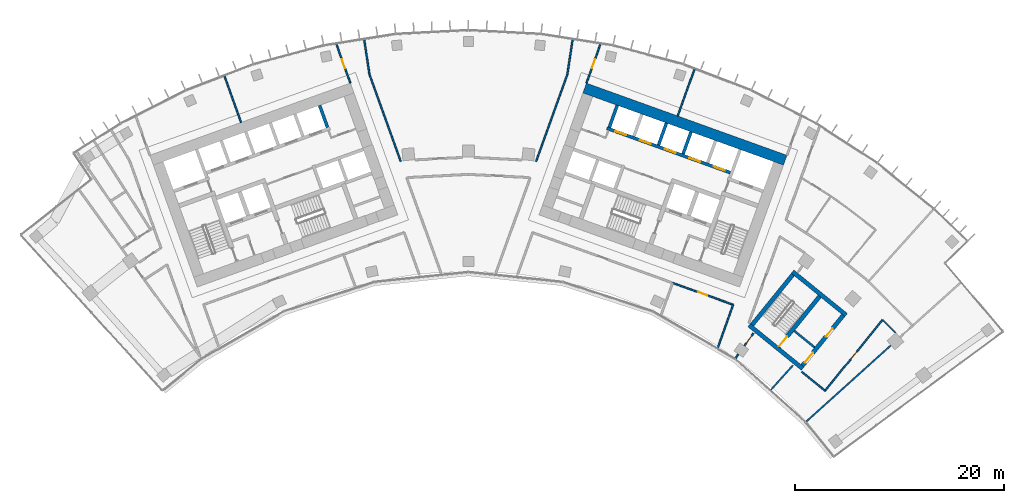
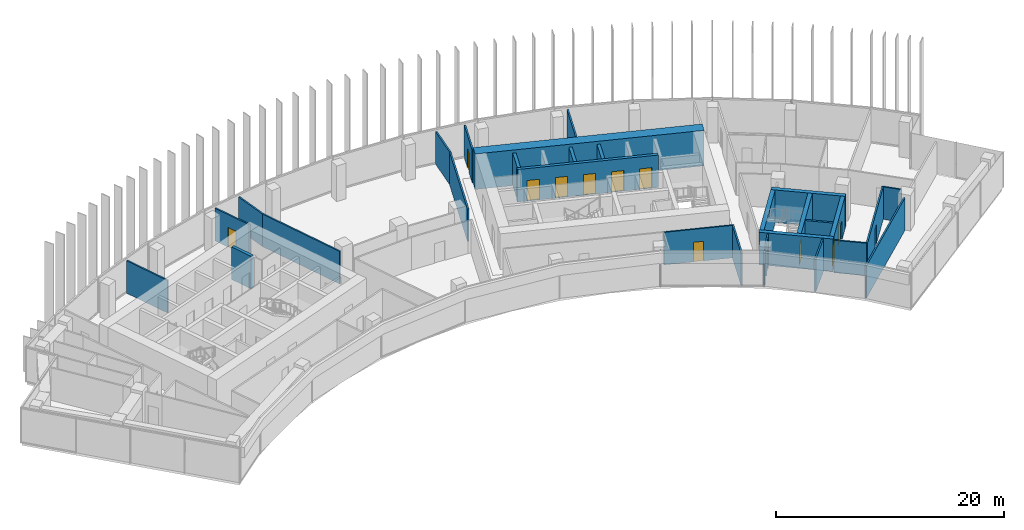
# One storey, part 16 of 19: 29 walls, 13 doors, 13 openings.
"""IFC4 building model written with IfcOpenShell, lengths in metres."""

from ifc_helpers import new_model, si_unit, direction, frame, frame_2d, origin, place, context, subcontext, project, spatial, rectangle, extrude, material, layer, layer_set, type_object, element, fill, save


model = new_model("IFC4")

# Units and contexts
model_context = context("Model", 3, precision=1e-05, world=origin(), true_north=direction((0.0, 1.0)))
body_context = subcontext(model_context, "Body", "Model", "MODEL_VIEW")
ifc_project = project(units=[si_unit("LENGTHUNIT", "METRE"), si_unit("AREAUNIT", "SQUARE_METRE"), si_unit("VOLUMEUNIT", "CUBIC_METRE"), si_unit("PLANEANGLEUNIT", "RADIAN"), si_unit("MASSUNIT", "GRAM", prefix="KILO")], contexts=[model_context])

# Site, building, storey
site_placement = place(None, origin())
site = spatial("IfcSite", under=ifc_project, at=site_placement, CompositionType="ELEMENT")
building_placement = place(site_placement, origin())
building = spatial("IfcBuilding", under=site, at=building_placement, Name="Stone Belt Terrace Tower", CompositionType="ELEMENT")
storey_placement = place(building_placement, frame((0.0, 0.0, 235.199951171875)))
storey = spatial("IfcBuildingStorey", under=building, at=storey_placement, Name="L57", CompositionType="ELEMENT", Elevation=235.199951171875)

# Walls
ifc_material_1 = material(Name="Concrete B60", Category="concrete")
ifc_layer_1 = layer(ifc_material_1, 1.0)
ifc_layer_set_1 = layer_set([ifc_layer_1], Name="Core wall 1000 B60")
wall_type_1 = type_object("IfcWallType", Name="Core wall 1000 B60", PredefinedType="SHEAR", material=ifc_layer_set_1)
wall_1_placement = place(storey_placement, frame((11.12646484375, 61.038330078125, 0.0), z_axis=(0.0, 0.0, 1.0), x_axis=(0.940921428504, -0.338624962727, 0.0)))
element("IfcWall", 1, at=wall_1_placement, inside=storey, type_object=wall_type_1, Name="Core B wall convex L57", PredefinedType="SHEAR", context=body_context, shape_type="SweptSolid", body=[
    extrude(rectangle(XDim=20.400146484375, YDim=1.0, at=frame_2d((10.2001953125, 0.0))), origin(), (0.0, 0.0, 1.0), 3.800048828125),
])
ifc_material_2 = material(Name="Concrete B80", Category="concrete")
ifc_layer_2 = layer(ifc_material_2, 0.300048828125)
ifc_layer_set_2 = layer_set([ifc_layer_2], Name="Lift shaft wall 300")
wall_type_2 = type_object("IfcWallType", Name="Lift shaft wall 300", PredefinedType="SHEAR", material=ifc_layer_set_2)
wall_2_placement = place(storey_placement, frame((-13.48828125, 57.265625, 0.0), z_axis=(0.0, 0.0, 1.0), x_axis=(-0.338631098537, 0.940919220286, 0.0)))
element("IfcWall", 2, at=wall_2_placement, inside=storey, type_object=wall_type_2, Name="Core A wall", PredefinedType="SHEAR", context=body_context, shape_type="SweptSolid", body=[
    extrude(rectangle(XDim=2.250244140625, YDim=0.300048828125, at=frame_2d((1.125, 0.0))), origin(), (0.0, 0.0, 1.0), 3.47998046875),
])

# Wall, openings, doors
wall_3_placement = place(storey_placement, frame((25.05810546875, 52.9423828125, 0.0), z_axis=(0.0, 0.0, 1.0), x_axis=(-0.940921381676, 0.338625092847, 0.0)))
wall_3 = element("IfcWall", 3, at=wall_3_placement, inside=storey, type_object=wall_type_2, Name="Core B wall", PredefinedType="SHEAR", context=body_context, shape_type="SweptSolid", body=[
    extrude(rectangle(XDim=12.550048828125, YDim=0.300048828125, at=frame_2d((6.27490234375, 0.0))), origin(), (0.0, 0.0, 1.0), 3.47998046875),
])
opening_1_placement = place(wall_3_placement, frame((0.570068359375, 0.0, 0.0)))
opening_1 = element("IfcOpeningElement", 4, at=opening_1_placement, cuts=wall_3, Name="Opening L57-LD09", PredefinedType="OPENING", context=body_context, shape_type="SweptSolid", body=[
    extrude(rectangle(XDim=1.10009765625, YDim=2.199951171875, at=frame_2d((0.550048828125, 1.10009765625))), frame((0.0, 0.159912109375, 0.0), z_axis=(0.0, -1.0, 0.0), x_axis=(1.0, 0.0, 0.0)), (0.0, 0.0, 1.0), 0.320068359375),
])
opening_2_placement = place(wall_3_placement, frame((3.070068359375, 0.0, 0.0)))
opening_2 = element("IfcOpeningElement", 5, at=opening_2_placement, cuts=wall_3, Name="Opening L57-LD10", PredefinedType="OPENING", context=body_context, shape_type="SweptSolid", body=[
    extrude(rectangle(XDim=1.10009765625, YDim=2.199951171875, at=frame_2d((0.550048828125, 1.10009765625))), frame((0.0, 0.159912109375, 0.0), z_axis=(0.0, -1.0, 0.0), x_axis=(1.0, 0.0, 0.0)), (0.0, 0.0, 1.0), 0.320068359375),
])
opening_3_placement = place(wall_3_placement, frame((5.570068359375, 0.0, 0.0)))
opening_3 = element("IfcOpeningElement", 6, at=opening_3_placement, cuts=wall_3, Name="Opening L57-LD11", PredefinedType="OPENING", context=body_context, shape_type="SweptSolid", body=[
    extrude(rectangle(XDim=1.10009765625, YDim=2.199951171875, at=frame_2d((0.550048828125, 1.10009765625))), frame((0.0, 0.159912109375, 0.0), z_axis=(0.0, -1.0, 0.0), x_axis=(1.0, 0.0, 0.0)), (0.0, 0.0, 1.0), 0.320068359375),
])
opening_4_placement = place(wall_3_placement, frame((8.070068359375, 0.0, 0.0)))
opening_4 = element("IfcOpeningElement", 7, at=opening_4_placement, cuts=wall_3, Name="Opening L57-LD12", PredefinedType="OPENING", context=body_context, shape_type="SweptSolid", body=[
    extrude(rectangle(XDim=1.10009765625, YDim=2.199951171875, at=frame_2d((0.550048828125, 1.10009765625))), frame((0.0, 0.159912109375, 0.0), z_axis=(0.0, -1.0, 0.0), x_axis=(1.0, 0.0, 0.0)), (0.0, 0.0, 1.0), 0.320068359375),
])
opening_5_placement = place(wall_3_placement, frame((10.570068359375, 0.0, 0.0)))
opening_5 = element("IfcOpeningElement", 8, at=opening_5_placement, cuts=wall_3, Name="Opening L57-LD13", PredefinedType="OPENING", context=body_context, shape_type="SweptSolid", body=[
    extrude(rectangle(XDim=1.10009765625, YDim=2.199951171875, at=frame_2d((0.550048828125, 1.10009765625))), frame((0.0, 0.159912109375, 0.0), z_axis=(0.0, -1.0, 0.0), x_axis=(1.0, 0.0, 0.0)), (0.0, 0.0, 1.0), 0.320068359375),
])
ifc_material_3 = material(Name="Stainless steel door leaf", Category="steel")
door_type_1 = type_object("IfcDoorType", Name="Landing door 1100", OperationType="SLIDING_TO_LEFT", PredefinedType="DOOR", material=ifc_material_3)
door_1_placement = place(opening_1_placement, origin())
door_1 = element("IfcDoor", 9, at=door_1_placement, inside=storey, type_object=door_type_1, Name="Landing door MR1 core B", OperationType="SLIDING_TO_LEFT", OverallHeight=2.199951171875, OverallWidth=1.10009765625, PredefinedType="DOOR", context=body_context, shape_type="SweptSolid", body=[
    extrude(rectangle(XDim=1.10009765625, YDim=2.199951171875, at=frame_2d((0.550048828125, 1.10009765625))), frame((0.0, 0.02490234375, 0.0), z_axis=(0.0, -1.0, 0.0), x_axis=(1.0, 0.0, 0.0)), (0.0, 0.0, 1.0), 0.050048828125),
])
fill(opening_1, door_1)
door_2_placement = place(opening_2_placement, origin())
door_2 = element("IfcDoor", 10, at=door_2_placement, inside=storey, type_object=door_type_1, Name="Landing door MR2 core B", OperationType="SLIDING_TO_LEFT", OverallHeight=2.199951171875, OverallWidth=1.10009765625, PredefinedType="DOOR", context=body_context, shape_type="SweptSolid", body=[
    extrude(rectangle(XDim=1.10009765625, YDim=2.199951171875, at=frame_2d((0.550048828125, 1.10009765625))), frame((0.0, 0.02490234375, 0.0), z_axis=(0.0, -1.0, 0.0), x_axis=(1.0, 0.0, 0.0)), (0.0, 0.0, 1.0), 0.050048828125),
])
fill(opening_2, door_2)
door_3_placement = place(opening_3_placement, origin())
door_3 = element("IfcDoor", 11, at=door_3_placement, inside=storey, type_object=door_type_1, Name="Landing door MR3 core B", OperationType="SLIDING_TO_LEFT", OverallHeight=2.199951171875, OverallWidth=1.10009765625, PredefinedType="DOOR", context=body_context, shape_type="SweptSolid", body=[
    extrude(rectangle(XDim=1.10009765625, YDim=2.199951171875, at=frame_2d((0.550048828125, 1.10009765625))), frame((0.0, 0.02490234375, 0.0), z_axis=(0.0, -1.0, 0.0), x_axis=(1.0, 0.0, 0.0)), (0.0, 0.0, 1.0), 0.050048828125),
])
fill(opening_3, door_3)
door_4_placement = place(opening_4_placement, origin())
door_4 = element("IfcDoor", 12, at=door_4_placement, inside=storey, type_object=door_type_1, Name="Landing door MR4 core B", OperationType="SLIDING_TO_LEFT", OverallHeight=2.199951171875, OverallWidth=1.10009765625, PredefinedType="DOOR", context=body_context, shape_type="SweptSolid", body=[
    extrude(rectangle(XDim=1.10009765625, YDim=2.199951171875, at=frame_2d((0.550048828125, 1.10009765625))), frame((0.0, 0.02490234375, 0.0), z_axis=(0.0, -1.0, 0.0), x_axis=(1.0, 0.0, 0.0)), (0.0, 0.0, 1.0), 0.050048828125),
])
fill(opening_4, door_4)
door_5_placement = place(opening_5_placement, origin())
door_5 = element("IfcDoor", 13, at=door_5_placement, inside=storey, type_object=door_type_1, Name="Landing door MR5 core B", OperationType="SLIDING_TO_LEFT", OverallHeight=2.199951171875, OverallWidth=1.10009765625, PredefinedType="DOOR", context=body_context, shape_type="SweptSolid", body=[
    extrude(rectangle(XDim=1.10009765625, YDim=2.199951171875, at=frame_2d((0.550048828125, 1.10009765625))), frame((0.0, 0.02490234375, 0.0), z_axis=(0.0, -1.0, 0.0), x_axis=(1.0, 0.0, 0.0)), (0.0, 0.0, 1.0), 0.050048828125),
])
fill(opening_5, door_5)

# Walls
wall_4_placement = place(storey_placement, frame((20.54541015625, 54.72607421875, 0.0), z_axis=(0.0, 0.0, 1.0), x_axis=(0.338569601369, 0.940941350472, 0.0)))
element("IfcWall", 14, at=wall_4_placement, inside=storey, type_object=wall_type_2, Name="Core B wall", PredefinedType="SHEAR", context=body_context, shape_type="SweptSolid", body=[
    extrude(rectangle(XDim=2.249755859375, YDim=0.300048828125, at=frame_2d((1.125, 0.0))), origin(), (0.0, 0.0, 1.0), 3.47998046875),
])
wall_5_placement = place(storey_placement, frame((18.193115234375, 55.572509765625, 0.0), z_axis=(0.0, 0.0, 1.0), x_axis=(0.338535034312, 0.940953787677, 0.0)))
element("IfcWall", 15, at=wall_5_placement, inside=storey, type_object=wall_type_2, Name="Core B wall", PredefinedType="SHEAR", context=body_context, shape_type="SweptSolid", body=[
    extrude(rectangle(XDim=2.25, YDim=0.300048828125, at=frame_2d((1.125, 0.0))), origin(), (0.0, 0.0, 1.0), 3.47998046875),
])
wall_6_placement = place(storey_placement, frame((13.48828125, 57.265625, 0.0), z_axis=(0.0, 0.0, 1.0), x_axis=(0.338631098537, 0.940919220286, 0.0)))
element("IfcWall", 16, at=wall_6_placement, inside=storey, type_object=wall_type_2, Name="Core B wall", PredefinedType="SHEAR", context=body_context, shape_type="SweptSolid", body=[
    extrude(rectangle(XDim=2.250244140625, YDim=0.300048828125, at=frame_2d((1.125, 0.0))), origin(), (0.0, 0.0, 1.0), 3.47998046875),
])

# Wall, opening, door
ifc_material_4 = material(Name="Gypsum board partition")
ifc_layer_3 = layer(ifc_material_4, 0.14990234375)
ifc_layer_set_3 = layer_set([ifc_layer_3], Name="PARTITION 150 EI 60")
wall_type_3 = type_object("IfcWallType", Name="PARTITION 150 EI 60", PredefinedType="PARTITIONING", material=ifc_layer_set_3)
wall_7_placement = place(storey_placement, frame((-11.2958984375, 61.509033203125, 0.0), z_axis=(0.0, 0.0, 1.0), x_axis=(-0.338610223579, 0.940926732795, 0.0)))
wall_7 = element("IfcWall", 17, at=wall_7_placement, inside=storey, type_object=wall_type_3, Name="L57/wall/i008", PredefinedType="PARTITIONING", context=body_context, shape_type="SweptSolid", body=[
    extrude(rectangle(XDim=3.956787109375, YDim=0.14990234375, at=frame_2d((1.978515625, 0.0))), origin(), (0.0, 0.0, 1.0), 3.47998046875),
])
opening_6_placement = place(wall_7_placement, frame((1.5283203125, 0.0, 0.0)))
opening_6 = element("IfcOpeningElement", 18, at=opening_6_placement, cuts=wall_7, Name="Opening D-D4-04", PredefinedType="OPENING", context=body_context, shape_type="SweptSolid", body=[
    extrude(rectangle(XDim=0.89990234375, YDim=2.10009765625, at=frame_2d((0.449951171875, 1.050048828125))), frame((0.0, 0.0849609375, 0.0), z_axis=(0.0, -1.0, 0.0), x_axis=(1.0, 0.0, 0.0)), (0.0, 0.0, 1.0), 0.169921875),
])
ifc_material_5 = material(Name="Timber door leaf", Category="wood")
door_type_2 = type_object("IfcDoorType", Name="OFFICE DOOR 900 X 2100", OperationType="NOTDEFINED", PredefinedType="DOOR", material=ifc_material_5)
door_6_placement = place(opening_6_placement, origin())
door_6 = element("IfcDoor", 19, at=door_6_placement, inside=storey, type_object=door_type_2, Name="L57/door/i04", OperationType="SINGLE_SWING_RIGHT", OverallHeight=2.10009765625, OverallWidth=0.89990234375, PredefinedType="DOOR", context=body_context, shape_type="SweptSolid", body=[
    extrude(rectangle(XDim=0.89990234375, YDim=2.10009765625, at=frame_2d((0.449951171875, 1.050048828125))), frame((0.0, 0.02490234375, 0.0), z_axis=(0.0, -1.0, 0.0), x_axis=(1.0, 0.0, 0.0)), (0.0, 0.0, 1.0), 0.050048828125),
])
fill(opening_6, door_6)

# Walls
wall_8_placement = place(storey_placement, frame((-9.971923828125, 65.65576171875, 0.0), z_axis=(0.0, 0.0, 1.0), x_axis=(0.150154488208, -0.988662545903, 0.0)))
element("IfcWall", 20, at=wall_8_placement, inside=storey, type_object=wall_type_3, Name="L57/wall/i010", PredefinedType="PARTITIONING", context=body_context, shape_type="SweptSolid", body=[
    extrude(rectangle(XDim=3.35595703125, YDim=0.14990234375, at=frame_2d((1.677978515625, 0.0))), origin(), (0.0, 0.0, 1.0), 3.47998046875),
])
wall_9_placement = place(storey_placement, frame((-9.468017578125, 62.3369140625, 0.0), z_axis=(0.0, 0.0, 1.0), x_axis=(0.338603075024, -0.940929305307, 0.0)))
element("IfcWall", 21, at=wall_9_placement, inside=storey, type_object=wall_type_3, Name="L57/wall/i011", PredefinedType="PARTITIONING", context=body_context, shape_type="SweptSolid", body=[
    extrude(rectangle(XDim=8.839111328125, YDim=0.14990234375, at=frame_2d((4.41943359375, 0.0))), origin(), (0.0, 0.0, 1.0), 3.47998046875),
])
wall_10_placement = place(storey_placement, frame((-23.349853515625, 62.170166015625, 0.0), z_axis=(0.0, 0.0, 1.0), x_axis=(0.338590819614, -0.940933715451, 0.0)))
element("IfcWall", 22, at=wall_10_placement, inside=storey, type_object=wall_type_3, Name="L57/wall/i015", PredefinedType="PARTITIONING", context=body_context, shape_type="SweptSolid", body=[
    extrude(rectangle(XDim=4.7041015625, YDim=0.14990234375, at=frame_2d((2.35205078125, 0.0))), origin(), (0.0, 0.0, 1.0), 3.47998046875),
])

# Wall, opening, door
wall_11_placement = place(storey_placement, frame((12.6357421875, 65.232177734375, 0.0), z_axis=(0.0, 0.0, 1.0), x_axis=(-0.338610223579, -0.940926732795, 0.0)))
wall_11 = element("IfcWall", 23, at=wall_11_placement, inside=storey, type_object=wall_type_3, Name="L57/wall/i017", PredefinedType="PARTITIONING", context=body_context, shape_type="SweptSolid", body=[
    extrude(rectangle(XDim=3.956787109375, YDim=0.14990234375, at=frame_2d((1.978515625, 0.0))), origin(), (0.0, 0.0, 1.0), 3.47998046875),
])
opening_7_placement = place(wall_11_placement, frame((1.5283203125, 0.0, 0.0)))
opening_7 = element("IfcOpeningElement", 24, at=opening_7_placement, cuts=wall_11, Name="Opening D-D4-07", PredefinedType="OPENING", context=body_context, shape_type="SweptSolid", body=[
    extrude(rectangle(XDim=0.89990234375, YDim=2.10009765625, at=frame_2d((0.449951171875, 1.050048828125))), frame((0.0, 0.0849609375, 0.0), z_axis=(0.0, -1.0, 0.0), x_axis=(1.0, 0.0, 0.0)), (0.0, 0.0, 1.0), 0.169921875),
])
door_7_placement = place(opening_7_placement, origin())
door_7 = element("IfcDoor", 25, at=door_7_placement, inside=storey, type_object=door_type_2, Name="L57/door/i07", OperationType="SINGLE_SWING_RIGHT", OverallHeight=2.10009765625, OverallWidth=0.89990234375, PredefinedType="DOOR", context=body_context, shape_type="SweptSolid", body=[
    extrude(rectangle(XDim=0.89990234375, YDim=2.10009765625, at=frame_2d((0.449951171875, 1.050048828125))), frame((0.0, 0.02490234375, 0.0), z_axis=(0.0, -1.0, 0.0), x_axis=(1.0, 0.0, 0.0)), (0.0, 0.0, 1.0), 0.050048828125),
])
fill(opening_7, door_7)

# Walls
wall_12_placement = place(storey_placement, frame((6.47509765625, 54.02001953125, 0.0), z_axis=(0.0, 0.0, 1.0), x_axis=(0.338603075024, 0.940929305307, 0.0)))
element("IfcWall", 26, at=wall_12_placement, inside=storey, type_object=wall_type_3, Name="L57/wall/i019", PredefinedType="PARTITIONING", context=body_context, shape_type="SweptSolid", body=[
    extrude(rectangle(XDim=8.839111328125, YDim=0.14990234375, at=frame_2d((4.41943359375, 0.0))), origin(), (0.0, 0.0, 1.0), 3.47998046875),
])
wall_13_placement = place(storey_placement, frame((9.468017578125, 62.337890625, 0.0), z_axis=(0.0, 0.0, 1.0), x_axis=(0.150154488208, 0.988662545903, 0.0)))
element("IfcWall", 27, at=wall_13_placement, inside=storey, type_object=wall_type_3, Name="L57/wall/i020", PredefinedType="PARTITIONING", context=body_context, shape_type="SweptSolid", body=[
    extrude(rectangle(XDim=3.35595703125, YDim=0.14990234375, at=frame_2d((1.677978515625, 0.0))), origin(), (0.0, 0.0, 1.0), 3.47998046875),
])
wall_14_placement = place(storey_placement, frame((23.860107421875, 36.1787109375, 0.0), z_axis=(0.0, 0.0, 1.0), x_axis=(0.338603151709, 0.94092927771, 0.0)))
element("IfcWall", 28, at=wall_14_placement, inside=storey, type_object=wall_type_3, Name="L57/wall/i021", PredefinedType="PARTITIONING", context=body_context, shape_type="SweptSolid", body=[
    extrude(rectangle(XDim=4.38525390625, YDim=0.14990234375, at=frame_2d((2.192626953125, 0.0))), origin(), (0.0, 0.0, 1.0), 3.47998046875),
])

# Wall, opening, door
wall_15_placement = place(storey_placement, frame((27.282958984375, 37.552001953125, 0.0), z_axis=(0.0, 0.0, 1.0), x_axis=(-0.587894549619, -0.808937573938, 0.0)))
wall_15 = element("IfcWall", 29, at=wall_15_placement, inside=storey, type_object=wall_type_3, Name="L57/wall/i024", PredefinedType="PARTITIONING", context=body_context, shape_type="SweptSolid", body=[
    extrude(rectangle(XDim=1.466796875, YDim=0.14990234375, at=frame_2d((0.7333984375, 0.0))), origin(), (0.0, 0.0, 1.0), 3.47998046875),
])
opening_8_placement = place(wall_15_placement, frame((0.283447265625, 0.0, 0.0)))
opening_8 = element("IfcOpeningElement", 30, at=opening_8_placement, cuts=wall_15, Name="Opening D-D4-17", PredefinedType="OPENING", context=body_context, shape_type="SweptSolid", body=[
    extrude(rectangle(XDim=0.89990234375, YDim=2.10009765625, at=frame_2d((0.449951171875, 1.050048828125))), frame((0.0, 0.0849609375, 0.0), z_axis=(0.0, -1.0, 0.0), x_axis=(1.0, 0.0, 0.0)), (0.0, 0.0, 1.0), 0.169921875),
])
ifc_material_6 = material(Name="Timber fire door leaf", Category="wood")
door_type_3 = type_object("IfcDoorType", Name="TENANCY ENTRANCE DOOR 900 X 2100", OperationType="NOTDEFINED", PredefinedType="DOOR", material=ifc_material_6)
door_8_placement = place(opening_8_placement, origin())
door_8 = element("IfcDoor", 31, at=door_8_placement, inside=storey, type_object=door_type_3, Name="L57/door/i17", OperationType="SINGLE_SWING_RIGHT", OverallHeight=2.10009765625, OverallWidth=0.89990234375, PredefinedType="DOOR", context=body_context, shape_type="SweptSolid", body=[
    extrude(rectangle(XDim=0.89990234375, YDim=2.10009765625, at=frame_2d((0.449951171875, 1.050048828125))), frame((0.0, 0.02490234375, 0.0), z_axis=(0.0, -1.0, 0.0), x_axis=(1.0, 0.0, 0.0)), (0.0, 0.0, 1.0), 0.050048828125),
])
fill(opening_8, door_8)

# Wall
wall_16_placement = place(storey_placement, frame((25.826904296875, 35.54833984375, 0.0), z_axis=(0.0, 0.0, 1.0), x_axis=(-0.587676645097, -0.809095890984, 0.0)))
element("IfcWall", 32, at=wall_16_placement, inside=storey, type_object=wall_type_3, Name="L57/wall/i025", PredefinedType="PARTITIONING", context=body_context, shape_type="SweptSolid", body=[
    extrude(rectangle(XDim=0.43994140625, YDim=0.14990234375, at=frame_2d((0.219970703125, 0.0))), origin(), (0.0, 0.0, 1.0), 3.47998046875),
])

# Wall, opening, door
wall_17_placement = place(storey_placement, frame((25.343017578125, 40.299072265625, 0.0), z_axis=(0.0, 0.0, 1.0), x_axis=(-0.940930306206, 0.338600293654, 0.0)))
wall_17 = element("IfcWall", 33, at=wall_17_placement, inside=storey, type_object=wall_type_3, Name="L57/wall/i029", PredefinedType="PARTITIONING", context=body_context, shape_type="SweptSolid", body=[
    extrude(rectangle(XDim=6.166259765625, YDim=0.14990234375, at=frame_2d((3.0830078125, 0.0))), origin(), (0.0, 0.0, 1.0), 3.47998046875),
])
opening_9_placement = place(wall_17_placement, frame((2.633056640625, 0.0, 0.0)))
opening_9 = element("IfcOpeningElement", 34, at=opening_9_placement, cuts=wall_17, Name="Opening D-D4-06", PredefinedType="OPENING", context=body_context, shape_type="SweptSolid", body=[
    extrude(rectangle(XDim=0.89990234375, YDim=2.10009765625, at=frame_2d((0.449951171875, 1.050048828125))), frame((0.0, 0.0849609375, 0.0), z_axis=(0.0, -1.0, 0.0), x_axis=(1.0, 0.0, 0.0)), (0.0, 0.0, 1.0), 0.169921875),
])
door_9_placement = place(opening_9_placement, origin())
door_9 = element("IfcDoor", 35, at=door_9_placement, inside=storey, type_object=door_type_2, Name="L57/door/i06", OperationType="SINGLE_SWING_RIGHT", OverallHeight=2.10009765625, OverallWidth=0.89990234375, PredefinedType="DOOR", context=body_context, shape_type="SweptSolid", body=[
    extrude(rectangle(XDim=0.89990234375, YDim=2.10009765625, at=frame_2d((0.449951171875, 1.050048828125))), frame((0.0, 0.02490234375, 0.0), z_axis=(0.0, -1.0, 0.0), x_axis=(1.0, 0.0, 0.0)), (0.0, 0.0, 1.0), 0.050048828125),
])
fill(opening_9, door_9)

# Walls
wall_18_placement = place(storey_placement, frame((21.634765625, 62.828125, 0.0), z_axis=(0.0, 0.0, 1.0), x_axis=(-0.338595500768, -0.940932030946, 0.0)))
element("IfcWall", 36, at=wall_18_placement, inside=storey, type_object=wall_type_3, Name="L57/wall/i031", PredefinedType="PARTITIONING", context=body_context, shape_type="SweptSolid", body=[
    extrude(rectangle(XDim=4.7421875, YDim=0.14990234375, at=frame_2d((2.37109375, 0.0))), origin(), (0.0, 0.0, 1.0), 3.47998046875),
])
wall_19_placement = place(storey_placement, frame((32.32666015625, 29.107177734375, 0.0), z_axis=(0.0, 0.0, 1.0), x_axis=(0.743123646352, 0.669154127412, 0.0)))
element("IfcWall", 37, at=wall_19_placement, inside=storey, type_object=wall_type_3, Name="L57/wall/i047", PredefinedType="PARTITIONING", context=body_context, shape_type="SweptSolid", body=[
    extrude(rectangle(XDim=10.89501953125, YDim=0.14990234375, at=frame_2d((5.447509765625, 0.0))), origin(), (0.0, 0.0, 1.0), 3.47998046875),
])
wall_20_placement = place(storey_placement, frame((40.871826171875, 37.615234375, 0.0), z_axis=(0.0, 0.0, 1.0), x_axis=(-0.707176795224, 0.707036760216, 0.0)))
element("IfcWall", 38, at=wall_20_placement, inside=storey, type_object=wall_type_3, Name="L57/wall/i051", PredefinedType="PARTITIONING", context=body_context, shape_type="SweptSolid", body=[
    extrude(rectangle(XDim=1.743408203125, YDim=0.14990234375, at=frame_2d((0.87158203125, 0.0))), origin(), (0.0, 0.0, 1.0), 3.47998046875),
])

# Wall, opening, door
wall_21_placement = place(storey_placement, frame((39.64306640625, 38.843994140625, 0.0), z_axis=(0.0, 0.0, 1.0), x_axis=(-0.630226712005, -0.776411161354, 0.0)))
wall_21 = element("IfcWall", 39, at=wall_21_placement, inside=storey, type_object=wall_type_3, Name="L57/wall/i057", PredefinedType="PARTITIONING", context=body_context, shape_type="SweptSolid", body=[
    extrude(rectangle(XDim=8.742919921875, YDim=0.14990234375, at=frame_2d((4.37158203125, 0.0))), origin(), (0.0, 0.0, 1.0), 3.47998046875),
])
opening_10_placement = place(wall_21_placement, frame((3.92138671875, 0.0, 0.0)))
opening_10 = element("IfcOpeningElement", 40, at=opening_10_placement, cuts=wall_21, Name="Opening D-D4-18", PredefinedType="OPENING", context=body_context, shape_type="SweptSolid", body=[
    extrude(rectangle(XDim=0.89990234375, YDim=2.10009765625, at=frame_2d((0.449951171875, 1.050048828125))), frame((0.0, 0.0849609375, 0.0), z_axis=(0.0, -1.0, 0.0), x_axis=(1.0, 0.0, 0.0)), (0.0, 0.0, 1.0), 0.169921875),
])
door_10_placement = place(opening_10_placement, origin())
door_10 = element("IfcDoor", 41, at=door_10_placement, inside=storey, type_object=door_type_2, Name="L57/door/i18", OperationType="SINGLE_SWING_LEFT", OverallHeight=2.10009765625, OverallWidth=0.89990234375, PredefinedType="DOOR", context=body_context, shape_type="SweptSolid", body=[
    extrude(rectangle(XDim=0.89990234375, YDim=2.10009765625, at=frame_2d((0.449951171875, 1.050048828125))), frame((0.0, 0.02490234375, 0.0), z_axis=(0.0, -1.0, 0.0), x_axis=(1.0, 0.0, 0.0)), (0.0, 0.0, 1.0), 0.050048828125),
])
fill(opening_10, door_10)

# Walls
wall_22_placement = place(storey_placement, frame((34.133056640625, 32.055908203125, 0.0), z_axis=(0.0, 0.0, 1.0), x_axis=(-0.776369956068, 0.630277471686, 0.0)))
element("IfcWall", 42, at=wall_22_placement, inside=storey, type_object=wall_type_3, Name="L57/wall/i058", PredefinedType="PARTITIONING", context=body_context, shape_type="SweptSolid", body=[
    extrude(rectangle(XDim=2.8876953125, YDim=0.14990234375, at=frame_2d((1.44384765625, 0.0))), origin(), (0.0, 0.0, 1.0), 3.47998046875),
])
wall_23_placement = place(storey_placement, frame((31.054931640625, 34.489990234375, 0.0), z_axis=(0.0, 0.0, 1.0), x_axis=(-0.669118910745, -0.743155356089, 0.0)))
element("IfcWall", 43, at=wall_23_placement, inside=storey, type_object=wall_type_3, Name="L57/wall/i059", PredefinedType="PARTITIONING", context=body_context, shape_type="SweptSolid", body=[
    extrude(rectangle(XDim=3.149169921875, YDim=0.14990234375, at=frame_2d((1.57470703125, 0.0))), origin(), (0.0, 0.0, 1.0), 3.47998046875),
])
ifc_material_7 = material(Name="Concrete masonry block", Category="masonry")
ifc_layer_4 = layer(ifc_material_7, 0.199951171875)
ifc_layer_set_4 = layer_set([ifc_layer_4], Name="Rated lobby wall 200")
wall_type_4 = type_object("IfcWallType", Name="Rated lobby wall 200", PredefinedType="PARTITIONING", material=ifc_layer_set_4)
wall_24_placement = place(storey_placement, frame((31.190673828125, 37.79296875, 0.0), z_axis=(0.0, 0.0, 1.0), x_axis=(0.776370830301, -0.630276394813, 0.0)))
element("IfcWall", 44, at=wall_24_placement, inside=storey, type_object=wall_type_4, Name="Exit stair ST3B wall", PredefinedType="PARTITIONING", context=body_context, shape_type="SweptSolid", body=[
    extrude(rectangle(XDim=2.5, YDim=0.199951171875, at=frame_2d((1.25, 0.0))), origin(), (0.0, 0.0, 1.0), 3.47998046875),
])
ifc_layer_5 = layer(ifc_material_2, 0.39990234375)
ifc_layer_set_5 = layer_set([ifc_layer_5], Name="Stair enclosure wall 400")
wall_type_5 = type_object("IfcWallType", Name="Stair enclosure wall 400", PredefinedType="SHEAR", material=ifc_layer_set_5)
wall_25_placement = place(storey_placement, frame((26.868408203125, 38.3388671875, 0.0), z_axis=(0.0, 0.0, 1.0), x_axis=(0.776428452498, -0.630205409491, 0.0)))
element("IfcWall", 45, at=wall_25_placement, inside=storey, type_object=wall_type_5, Name="Exit stair ST3B wall", PredefinedType="SHEAR", context=body_context, shape_type="SweptSolid", body=[
    extrude(rectangle(XDim=6.60009765625, YDim=0.39990234375, at=frame_2d((3.300048828125, 0.0))), origin(), (0.0, 0.0, 1.0), 3.47998046875),
])
wall_26_placement = place(storey_placement, frame((31.02783203125, 43.46337890625, 0.0), z_axis=(0.0, 0.0, 1.0), x_axis=(0.776413760801, -0.630223509589, 0.0)))
element("IfcWall", 46, at=wall_26_placement, inside=storey, type_object=wall_type_5, Name="Exit stair ST3B wall", PredefinedType="SHEAR", context=body_context, shape_type="SweptSolid", body=[
    extrude(rectangle(XDim=6.599853515625, YDim=0.39990234375, at=frame_2d((3.2998046875, 0.0))), origin(), (0.0, 0.0, 1.0), 3.47998046875),
])
wall_27_placement = place(storey_placement, frame((27.149658203125, 38.3681640625, 0.0), z_axis=(0.0, 0.0, 1.0), x_axis=(0.630211551729, 0.776423466973, 0.0)))
element("IfcWall", 47, at=wall_27_placement, inside=storey, type_object=wall_type_5, Name="Exit stair ST3B wall", PredefinedType="SHEAR", context=body_context, shape_type="SweptSolid", body=[
    extrude(rectangle(XDim=6.199951171875, YDim=0.39990234375, at=frame_2d((3.10009765625, 0.0))), origin(), (0.0, 0.0, 1.0), 3.47998046875),
])

# Wall, openings, doors
wall_28_placement = place(storey_placement, frame((31.963623046875, 34.460693359375, 0.0), z_axis=(0.0, 0.0, 1.0), x_axis=(0.630192283849, 0.776439106033, 0.0)))
wall_28 = element("IfcWall", 48, at=wall_28_placement, inside=storey, type_object=wall_type_5, Name="Exit stair ST3B wall", PredefinedType="SHEAR", context=body_context, shape_type="SweptSolid", body=[
    extrude(rectangle(XDim=6.199951171875, YDim=0.39990234375, at=frame_2d((3.10009765625, 0.0))), origin(), (0.0, 0.0, 1.0), 3.47998046875),
])
opening_11_placement = place(wall_28_placement, frame((0.39990234375, 0.0, 0.0)))
opening_11 = element("IfcOpeningElement", 49, at=opening_11_placement, cuts=wall_28, Name="Opening L57-C24", PredefinedType="OPENING", context=body_context, shape_type="SweptSolid", body=[
    extrude(rectangle(XDim=1.199951171875, YDim=2.10009765625, at=frame_2d((0.60009765625, 1.050048828125))), frame((0.0, 0.2099609375, 0.0), z_axis=(0.0, -1.0, 0.0), x_axis=(1.0, 0.0, 0.0)), (0.0, 0.0, 1.0), 0.419921875),
])
opening_12_placement = place(wall_28_placement, frame((3.60009765625, 0.0, 0.0)))
opening_12 = element("IfcOpeningElement", 50, at=opening_12_placement, cuts=wall_28, Name="Opening L57-C25", PredefinedType="OPENING", context=body_context, shape_type="SweptSolid", body=[
    extrude(rectangle(XDim=1.0, YDim=2.10009765625, at=frame_2d((0.5, 1.050048828125))), frame((0.0, 0.2099609375, 0.0), z_axis=(0.0, -1.0, 0.0), x_axis=(1.0, 0.0, 0.0)), (0.0, 0.0, 1.0), 0.419921875),
])
door_type_4 = type_object("IfcDoorType", Name="Core room door 1000", OperationType="SINGLE_SWING_LEFT", PredefinedType="DOOR", material=ifc_material_5)
door_11_placement = place(opening_12_placement, origin())
door_11 = element("IfcDoor", 51, at=door_11_placement, inside=storey, type_object=door_type_4, Name="Door to stair pressurisation plant room ST3B", OperationType="SINGLE_SWING_LEFT", OverallHeight=2.10009765625, OverallWidth=1.0, PredefinedType="DOOR", context=body_context, shape_type="SweptSolid", body=[
    extrude(rectangle(XDim=1.0, YDim=2.10009765625, at=frame_2d((0.5, 1.050048828125))), frame((0.0, 0.02490234375, 0.0), z_axis=(0.0, -1.0, 0.0), x_axis=(1.0, 0.0, 0.0)), (0.0, 0.0, 1.0), 0.050048828125),
])
fill(opening_12, door_11)
ifc_material_8 = material(Name="Steel door leaf", Category="steel")
door_type_5 = type_object("IfcDoorType", Name="Stair airlock door 1200", OperationType="SINGLE_SWING_LEFT", PredefinedType="DOOR", material=ifc_material_8)
door_12_placement = place(opening_11_placement, origin())
door_12 = element("IfcDoor", 52, at=door_12_placement, inside=storey, type_object=door_type_5, Name="Stair airlock door ST3B", OperationType="SINGLE_SWING_LEFT", OverallHeight=2.10009765625, OverallWidth=1.199951171875, PredefinedType="DOOR", context=body_context, shape_type="SweptSolid", body=[
    extrude(rectangle(XDim=1.199951171875, YDim=2.10009765625, at=frame_2d((0.60009765625, 1.050048828125))), frame((0.0, 0.02490234375, 0.0), z_axis=(0.0, -1.0, 0.0), x_axis=(1.0, 0.0, 0.0)), (0.0, 0.0, 1.0), 0.050048828125),
])
fill(opening_11, door_12)

# Wall, opening, door
wall_29_placement = place(storey_placement, frame((29.7119140625, 36.288330078125, 0.0), z_axis=(0.0, 0.0, 1.0), x_axis=(0.630192283849, 0.776439106033, 0.0)))
wall_29 = element("IfcWall", 53, at=wall_29_placement, inside=storey, type_object=wall_type_5, Name="Exit stair ST3B wall", PredefinedType="SHEAR", context=body_context, shape_type="SweptSolid", body=[
    extrude(rectangle(XDim=6.199951171875, YDim=0.39990234375, at=frame_2d((3.10009765625, 0.0))), origin(), (0.0, 0.0, 1.0), 3.47998046875),
])
opening_13_placement = place(wall_29_placement, frame((0.050048828125, 0.0, 0.0)))
opening_13 = element("IfcOpeningElement", 54, at=opening_13_placement, cuts=wall_29, Name="Opening L57-C23", PredefinedType="OPENING", context=body_context, shape_type="SweptSolid", body=[
    extrude(rectangle(XDim=1.199951171875, YDim=2.10009765625, at=frame_2d((0.60009765625, 1.050048828125))), frame((0.0, 0.2099609375, 0.0), z_axis=(0.0, -1.0, 0.0), x_axis=(1.0, 0.0, 0.0)), (0.0, 0.0, 1.0), 0.419921875),
])
door_type_6 = type_object("IfcDoorType", Name="Stair door 1200", OperationType="SINGLE_SWING_LEFT", PredefinedType="DOOR", material=ifc_material_8)
door_13_placement = place(opening_13_placement, origin())
door_13 = element("IfcDoor", 55, at=door_13_placement, inside=storey, type_object=door_type_6, Name="Stair door ST3B", OperationType="SINGLE_SWING_RIGHT", OverallHeight=2.10009765625, OverallWidth=1.199951171875, PredefinedType="DOOR", context=body_context, shape_type="SweptSolid", body=[
    extrude(rectangle(XDim=1.199951171875, YDim=2.10009765625, at=frame_2d((0.60009765625, 1.050048828125))), frame((0.0, 0.02490234375, 0.0), z_axis=(0.0, -1.0, 0.0), x_axis=(1.0, 0.0, 0.0)), (0.0, 0.0, 1.0), 0.050048828125),
])
fill(opening_13, door_13)

save(model, "model.ifc")
